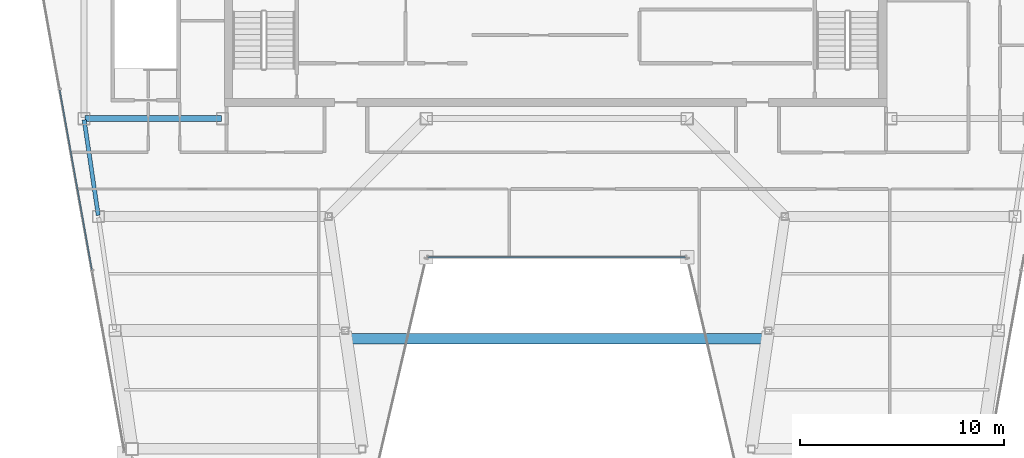
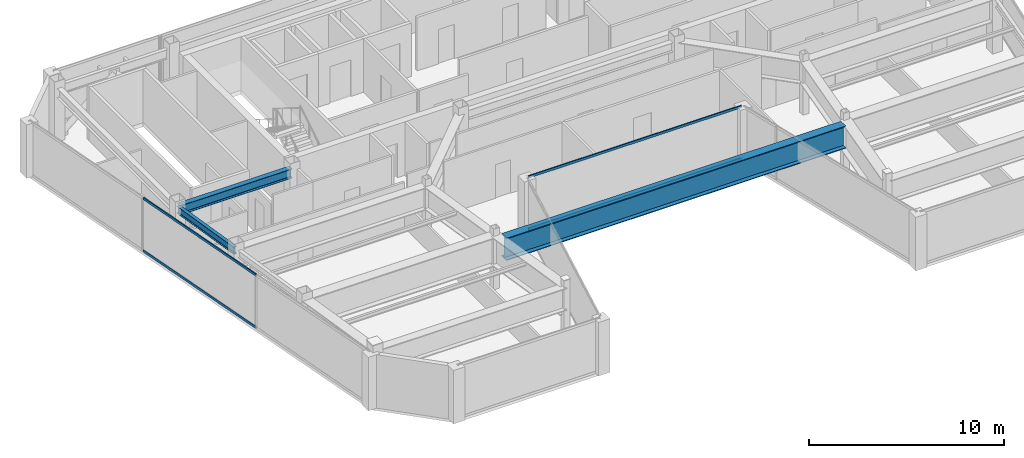
# One storey, part 7 of 30: 4 members, 3 beams, 2 elements without a shape of their own.
"""IFC4 building model written with IfcOpenShell, lengths in metres."""

from ifc_helpers import new_model, si_unit, direction, frame, origin, origin_2d, place, context, subcontext, project, spatial, hollow_rectangle, i_section, extrude, material, material_profile, profile_set, type_object, element, aggregate, save


model = new_model("IFC4")

# Units and contexts
model_context = context("Model", 3, precision=1e-05, world=origin(), true_north=direction((0.0, 1.0)))
body_context = subcontext(model_context, "Body", "Model", "MODEL_VIEW")
ifc_project = project(units=[si_unit("LENGTHUNIT", "METRE"), si_unit("AREAUNIT", "SQUARE_METRE"), si_unit("VOLUMEUNIT", "CUBIC_METRE"), si_unit("PLANEANGLEUNIT", "RADIAN"), si_unit("MASSUNIT", "GRAM", prefix="KILO")], contexts=[model_context])

# Site, building, storey
site_placement = place(None, origin())
site = spatial("IfcSite", under=ifc_project, at=site_placement, CompositionType="ELEMENT")
building_placement = place(site_placement, origin())
building = spatial("IfcBuilding", under=site, at=building_placement, Name="Saevonmaru Cultural Tower", CompositionType="ELEMENT")
storey_placement = place(building_placement, frame((0.0, 0.0, 272.39990234375)))
storey = spatial("IfcBuildingStorey", under=building, at=storey_placement, Name="L64", CompositionType="ELEMENT", Elevation=272.39990234375)

# Beams
ifc_material_1 = material(Name="Steel SM355", Category="steel")
ifc_material_profile_1 = material_profile(ifc_material_1, i_section(OverallWidth=0.300048828125, OverallDepth=0.587890625, WebThickness=0.011962890625, FlangeThickness=0.02001953125, FilletRadius=0.02392578125, at=origin_2d()), Name="H-588x300x12x20")
ifc_profile_set_1 = profile_set([ifc_material_profile_1], Name="Steel SM355")
beam_type_1 = type_object("IfcBeamType", Name="BM-G-H588", PredefinedType="BEAM", material=ifc_profile_set_1)
beam_1_placement = place(storey_placement, frame((6.860107421875, 42.39990234375, 3.05615234375), z_axis=(1.0, 0.0, 0.0), x_axis=(0.0, 1.0, 0.0)))
element("IfcBeam", 1, at=beam_1_placement, inside=storey, type_object=beam_type_1, Name="L64 Core South Girder 1", PredefinedType="BEAM", context=body_context, shape_type="SweptSolid", body=[
    extrude(i_section(OverallWidth=0.300048828125, OverallDepth=0.587890625, WebThickness=0.011962890625, FlangeThickness=0.02001953125, FilletRadius=0.02392578125, at=origin_2d()), origin(), (0.0, 0.0, 1.0), 6.679931640625),
])
ifc_material_profile_2 = material_profile(ifc_material_1, i_section(OverallWidth=0.199951171875, OverallDepth=0.449951171875, WebThickness=0.009033203125, FlangeThickness=0.013916015625, FilletRadius=0.01806640625, at=origin_2d()), Name="H-450x200x9x14")
ifc_profile_set_2 = profile_set([ifc_material_profile_2], Name="Steel SM355")
beam_type_2 = type_object("IfcBeamType", Name="BM-SP-H450", PredefinedType="SPANDREL", material=ifc_profile_set_2)
beam_2_placement = place(storey_placement, frame((7.499267578125, 37.659423828125, 3.125), z_axis=(-0.145912860028, 0.989297446312, 0.0), x_axis=(-0.989297446312, -0.145912860028, 0.0)))
element("IfcBeam", 2, at=beam_2_placement, inside=storey, type_object=beam_type_2, Name="L64 West Splayed Spandrel 3", PredefinedType="SPANDREL", context=body_context, shape_type="SweptSolid", body=[
    extrude(i_section(OverallWidth=0.199951171875, OverallDepth=0.449951171875, WebThickness=0.009033203125, FlangeThickness=0.013916015625, FilletRadius=0.01806640625, at=origin_2d()), origin(), (0.0, 0.0, 1.0), 4.731689453125),
])
ifc_material_2 = material(Name="Steel HSA600 (600 MPa)", Category="steel")
ifc_material_profile_3 = material_profile(ifc_material_2, i_section(OverallWidth=0.5, OverallDepth=1.39990234375, WebThickness=0.02392578125, FlangeThickness=0.044921875, at=origin_2d()), Name="PG-1400x500x24x45")
ifc_profile_set_3 = profile_set([ifc_material_profile_3], Name="Steel HSA600 (600 MPa)")
beam_type_3 = type_object("IfcBeamType", Name="BM-TG-PG1400", PredefinedType="BEAM", material=ifc_profile_set_3)
beam_3_placement = place(storey_placement, frame((19.9326171875, 31.60009765625, 2.650146484375), z_axis=(1.0, 0.0, 0.0), x_axis=(0.0, 1.0, 0.0)))
element("IfcBeam", 3, at=beam_3_placement, inside=storey, type_object=beam_type_3, Name="L64 Central Link Girder", PredefinedType="BEAM", context=body_context, shape_type="SweptSolid", body=[
    extrude(i_section(OverallWidth=0.5, OverallDepth=1.39990234375, WebThickness=0.02392578125, FlangeThickness=0.044921875, at=origin_2d()), origin(), (0.0, 0.0, 1.0), 20.134765625),
])

# Curtain wall, members
ifc_material_3 = material(Name="Satin Bronze Anodised Aluminium", Category="aluminium")
curtain_wall_type = type_object("IfcCurtainWallType", Name="CW-TYP-B", PredefinedType="NOTDEFINED", material=ifc_material_3)
curtain_wall_1_placement = place(storey_placement, origin())
curtain_wall_1 = element("IfcCurtainWall", 4, at=curtain_wall_1_placement, inside=storey, type_object=curtain_wall_type, Name="L64 Unitised Curtain Wall E4", PredefinedType="NOTDEFINED")
ifc_material_profile_4 = material_profile(ifc_material_3, hollow_rectangle(XDim=0.06494140625, YDim=0.14990234375, WallThickness=0.00390625, at=origin_2d()), Name="ALU-TRAN-150x65x4")
ifc_profile_set_4 = profile_set([ifc_material_profile_4], Name="Satin Bronze Anodised Aluminium")
member_type = type_object("IfcMemberType", Name="TR-CW-150x65", PredefinedType="USERDEFINED", material=ifc_profile_set_4)
member_1_placement = place(storey_placement, frame((23.68798828125, 35.60009765625, 0.03271484375), z_axis=(1.0, 0.0, 0.0), x_axis=(0.0, 1.0, 0.0)))
member_1 = element("IfcMember", 5, at=member_1_placement, type_object=member_type, Name="CW-TW-L64-E4 transom 1.1", ObjectType="TRANSOM", PredefinedType="USERDEFINED", context=body_context, shape_type="SweptSolid", body=[
    extrude(hollow_rectangle(XDim=0.06494140625, YDim=0.14990234375, WallThickness=0.00390625, at=origin_2d()), origin(), (0.0, 0.0, 1.0), 12.6240234375),
])
member_2_placement = place(storey_placement, frame((23.68798828125, 35.60009765625, 3.317626953125), z_axis=(1.0, 0.0, 0.0), x_axis=(0.0, 1.0, 0.0)))
member_2 = element("IfcMember", 6, at=member_2_placement, type_object=member_type, Name="CW-TW-L64-E4 transom 1.2", ObjectType="TRANSOM", PredefinedType="USERDEFINED", context=body_context, shape_type="SweptSolid", body=[
    extrude(hollow_rectangle(XDim=0.06494140625, YDim=0.14990234375, WallThickness=0.00390625, at=origin_2d()), origin(), (0.0, 0.0, 1.0), 12.6240234375),
])
aggregate(curtain_wall_1, [member_1, member_2])

curtain_wall_2_placement = place(storey_placement, origin())
curtain_wall_2 = element("IfcCurtainWall", 7, at=curtain_wall_2_placement, inside=storey, type_object=curtain_wall_type, Name="L64 Unitised Curtain Wall E12", PredefinedType="NOTDEFINED")
member_3_placement = place(storey_placement, frame((5.60791015625, 43.81494140625, 0.03271484375), z_axis=(0.176123157264, -0.984368139202, 0.0), x_axis=(0.984368139202, 0.176123157264, 0.0)))
member_3 = element("IfcMember", 8, at=member_3_placement, type_object=member_type, Name="CW-TW-L64-E12 transom 2.1", ObjectType="TRANSOM", PredefinedType="USERDEFINED", context=body_context, shape_type="SweptSolid", body=[
    extrude(hollow_rectangle(XDim=0.06494140625, YDim=0.14990234375, WallThickness=0.00390625, at=origin_2d()), origin(), (0.0, 0.0, 1.0), 8.969970703125),
])
member_4_placement = place(storey_placement, frame((5.60791015625, 43.81494140625, 3.317626953125), z_axis=(0.176123157264, -0.984368139202, 0.0), x_axis=(0.984368139202, 0.176123157264, 0.0)))
member_4 = element("IfcMember", 9, at=member_4_placement, type_object=member_type, Name="CW-TW-L64-E12 transom 2.2", ObjectType="TRANSOM", PredefinedType="USERDEFINED", context=body_context, shape_type="SweptSolid", body=[
    extrude(hollow_rectangle(XDim=0.06494140625, YDim=0.14990234375, WallThickness=0.00390625, at=origin_2d()), origin(), (0.0, 0.0, 1.0), 8.969970703125),
])
aggregate(curtain_wall_2, [member_3, member_4])

save(model, "model.ifc")
